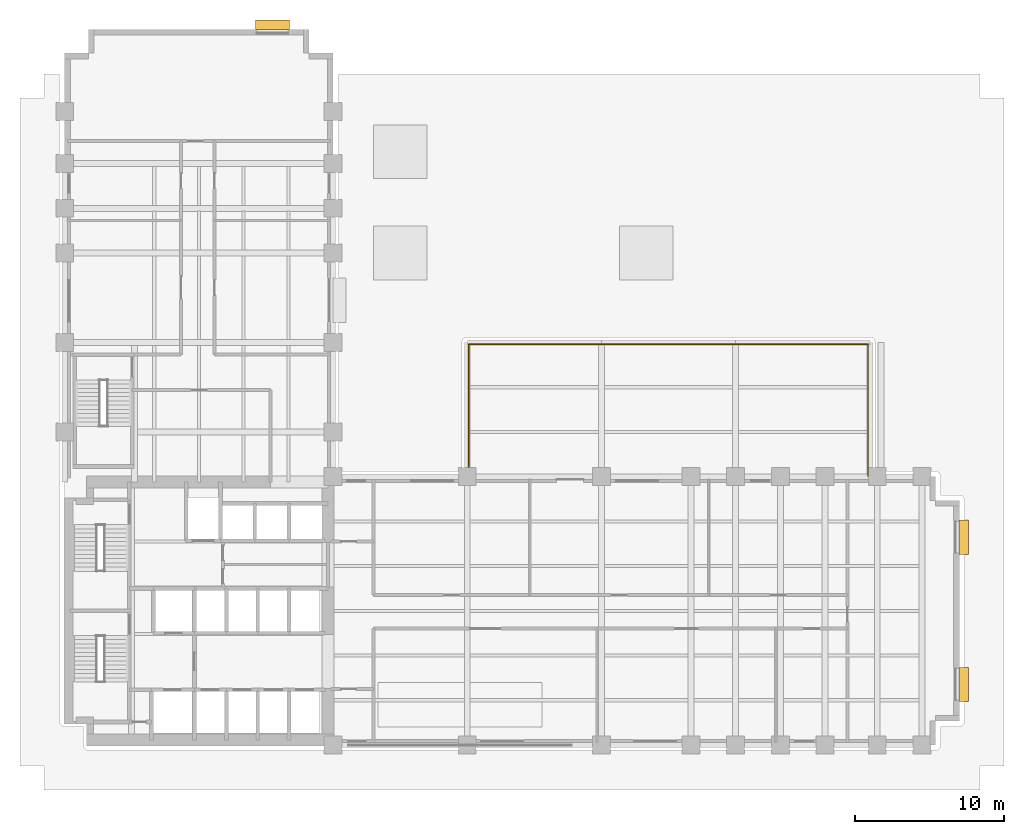
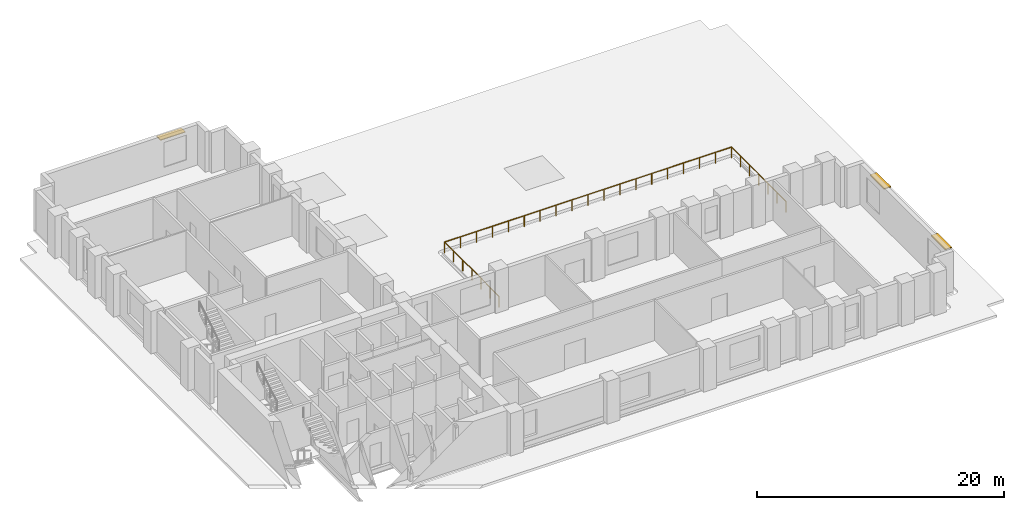
# One storey, part 9 of 9: 3 shading devices, 1 railing.
"""IFC4 building model written with IfcOpenShell, lengths in metres."""

from ifc_helpers import new_model, si_unit, direction, frame, origin, origin_2d, place, context, subcontext, project, spatial, rectangle, circle, extrude, material, layer, layer_set, type_object, element, save


model = new_model("IFC4")

# Units and contexts
model_context = context("Model", 3, precision=1e-05, world=origin(), true_north=direction((0.0, 1.0)))
body_context = subcontext(model_context, "Body", "Model", "MODEL_VIEW")
ifc_project = project(units=[si_unit("LENGTHUNIT", "METRE"), si_unit("AREAUNIT", "SQUARE_METRE"), si_unit("VOLUMEUNIT", "CUBIC_METRE"), si_unit("PLANEANGLEUNIT", "RADIAN"), si_unit("MASSUNIT", "GRAM", prefix="KILO")], contexts=[model_context])

# Site, building, storey
site_placement = place(None, origin())
site = spatial("IfcSite", under=ifc_project, at=site_placement, CompositionType="ELEMENT")
building_placement = place(site_placement, origin())
building = spatial("IfcBuilding", under=site, at=building_placement, Name="Mawjdan Bourse Tower", CompositionType="ELEMENT")
storey_placement = place(building_placement, frame((0.0, 0.0, 21.60009765625)))
storey = spatial("IfcBuildingStorey", under=building, at=storey_placement, Name="L04", CompositionType="ELEMENT", Elevation=21.60009765625)

# Railing
ifc_material_1 = material(Name="Structural Steel S355", Category="steel")
railing_type = type_object("IfcRailingType", Name="RLG-GRD-1100", PredefinedType="GUARDRAIL", material=ifc_material_1)
railing_placement = place(storey_placement, frame((33.10009765625, 21.050048828125, 0.0)))
element("IfcRailing", 1, at=railing_placement, inside=storey, type_object=railing_type, Name="L04 Sky Terrace Perimeter Guardrail", PredefinedType="GUARDRAIL", context=body_context, shape_type="SweptSolid", body=[
    extrude(circle(Radius=0.02490234375, at=origin_2d()), frame((0.0, 0.0, 1.0751953125), z_axis=(0.0, 1.0, 0.0), x_axis=(-1.0, 0.0, 0.0)), (0.0, 0.0, 1.0), 8.829833984375),
    extrude(circle(Radius=0.02490234375, at=origin_2d()), frame((0.0, 8.829833984375, 1.0751953125), z_axis=(1.0, 0.0, 0.0), x_axis=(0.0, 1.0, 0.0)), (0.0, 0.0, 1.0), 26.77978515625),
    extrude(circle(Radius=0.02490234375, at=origin_2d()), frame((26.77978515625, 8.829833984375, 1.0751953125), z_axis=(0.0, -1.0, 0.0), x_axis=(1.0, 0.0, 0.0)), (0.0, 0.0, 1.0), 8.829833984375),
    extrude(circle(Radius=0.02197265625, at=origin_2d()), origin(), (0.0, 0.0, 1.0), 1.050048828125),
    extrude(circle(Radius=0.02197265625, at=origin_2d()), frame((0.0, 1.4716796875, 0.0)), (0.0, 0.0, 1.0), 1.050048828125),
    extrude(circle(Radius=0.02197265625, at=origin_2d()), frame((0.0, 2.943359375, 0.0)), (0.0, 0.0, 1.0), 1.050048828125),
    extrude(circle(Radius=0.02197265625, at=origin_2d()), frame((0.0, 4.4150390625, 0.0)), (0.0, 0.0, 1.0), 1.050048828125),
    extrude(circle(Radius=0.02197265625, at=origin_2d()), frame((0.0, 5.886474609375, 0.0)), (0.0, 0.0, 1.0), 1.050048828125),
    extrude(circle(Radius=0.02197265625, at=origin_2d()), frame((0.0, 7.358154296875, 0.0)), (0.0, 0.0, 1.0), 1.050048828125),
    extrude(circle(Radius=0.02197265625, at=origin_2d()), frame((0.0, 8.829833984375, 0.0)), (0.0, 0.0, 1.0), 1.050048828125),
    extrude(circle(Radius=0.02197265625, at=origin_2d()), frame((1.48779296875, 8.829833984375, 0.0)), (0.0, 0.0, 1.0), 1.050048828125),
    extrude(circle(Radius=0.02197265625, at=origin_2d()), frame((2.9755859375, 8.829833984375, 0.0)), (0.0, 0.0, 1.0), 1.050048828125),
    extrude(circle(Radius=0.02197265625, at=origin_2d()), frame((4.46337890625, 8.829833984375, 0.0)), (0.0, 0.0, 1.0), 1.050048828125),
    extrude(circle(Radius=0.02197265625, at=origin_2d()), frame((5.951171875, 8.829833984375, 0.0)), (0.0, 0.0, 1.0), 1.050048828125),
    extrude(circle(Radius=0.02197265625, at=origin_2d()), frame((7.438720703125, 8.829833984375, 0.0)), (0.0, 0.0, 1.0), 1.050048828125),
    extrude(circle(Radius=0.02197265625, at=origin_2d()), frame((8.926513671875, 8.829833984375, 0.0)), (0.0, 0.0, 1.0), 1.050048828125),
    extrude(circle(Radius=0.02197265625, at=origin_2d()), frame((10.414306640625, 8.829833984375, 0.0)), (0.0, 0.0, 1.0), 1.050048828125),
    extrude(circle(Radius=0.02197265625, at=origin_2d()), frame((11.902099609375, 8.829833984375, 0.0)), (0.0, 0.0, 1.0), 1.050048828125),
    extrude(circle(Radius=0.02197265625, at=origin_2d()), frame((13.389892578125, 8.829833984375, 0.0)), (0.0, 0.0, 1.0), 1.050048828125),
    extrude(circle(Radius=0.02197265625, at=origin_2d()), frame((14.877685546875, 8.829833984375, 0.0)), (0.0, 0.0, 1.0), 1.050048828125),
    extrude(circle(Radius=0.02197265625, at=origin_2d()), frame((16.365478515625, 8.829833984375, 0.0)), (0.0, 0.0, 1.0), 1.050048828125),
    extrude(circle(Radius=0.02197265625, at=origin_2d()), frame((17.853271484375, 8.829833984375, 0.0)), (0.0, 0.0, 1.0), 1.050048828125),
    extrude(circle(Radius=0.02197265625, at=origin_2d()), frame((19.341064453125, 8.829833984375, 0.0)), (0.0, 0.0, 1.0), 1.050048828125),
    extrude(circle(Radius=0.02197265625, at=origin_2d()), frame((20.82861328125, 8.829833984375, 0.0)), (0.0, 0.0, 1.0), 1.050048828125),
    extrude(circle(Radius=0.02197265625, at=origin_2d()), frame((22.31640625, 8.829833984375, 0.0)), (0.0, 0.0, 1.0), 1.050048828125),
    extrude(circle(Radius=0.02197265625, at=origin_2d()), frame((23.80419921875, 8.829833984375, 0.0)), (0.0, 0.0, 1.0), 1.050048828125),
    extrude(circle(Radius=0.02197265625, at=origin_2d()), frame((25.2919921875, 8.829833984375, 0.0)), (0.0, 0.0, 1.0), 1.050048828125),
    extrude(circle(Radius=0.02197265625, at=origin_2d()), frame((26.77978515625, 8.829833984375, 0.0)), (0.0, 0.0, 1.0), 1.050048828125),
    extrude(circle(Radius=0.02197265625, at=origin_2d()), frame((26.77978515625, 7.358154296875, 0.0)), (0.0, 0.0, 1.0), 1.050048828125),
    extrude(circle(Radius=0.02197265625, at=origin_2d()), frame((26.77978515625, 5.886474609375, 0.0)), (0.0, 0.0, 1.0), 1.050048828125),
    extrude(circle(Radius=0.02197265625, at=origin_2d()), frame((26.77978515625, 4.4150390625, 0.0)), (0.0, 0.0, 1.0), 1.050048828125),
    extrude(circle(Radius=0.02197265625, at=origin_2d()), frame((26.77978515625, 2.943359375, 0.0)), (0.0, 0.0, 1.0), 1.050048828125),
    extrude(circle(Radius=0.02197265625, at=origin_2d()), frame((26.77978515625, 1.4716796875, 0.0)), (0.0, 0.0, 1.0), 1.050048828125),
    extrude(circle(Radius=0.02197265625, at=origin_2d()), frame((26.77978515625, 0.0, 0.0)), (0.0, 0.0, 1.0), 1.050048828125),
])

# Shading devices
ifc_material_2 = material(Name="Bronze Anodised Aluminium", Category="aluminium")
ifc_layer = layer(ifc_material_2, 0.074951171875)
ifc_layer_set = layer_set([ifc_layer], Name="Bronze Anodised Aluminium")
shading_device_type = type_object("IfcShadingDeviceType", Name="SHD-SUN-650", PredefinedType="USERDEFINED", material=ifc_layer_set)
for number, where, z_axis, x_axis, name in (
    (2, (66.304931640625, 7.066650390625, 3.2998046875), (0.0, 0.0, 1.0), (0.0, 1.0, 0.0), "L04 Solar Window Hood 01"),
    (3, (66.304931640625, 16.933349609375, 3.2998046875), (0.0, 0.0, 1.0), (0.0, 1.0, 0.0), "L04 Solar Window Hood 02"),
    (4, (19.933349609375, 51.304931640625, 3.2998046875), (0.0, 0.0, 1.0), (-1.0, 0.0, 0.0), "L04 Solar Window Hood 04"),
):
    element("IfcShadingDevice", number, at=place(storey_placement, frame(where, z_axis=z_axis, x_axis=x_axis)), inside=storey, type_object=shading_device_type, Name=name, ObjectType="SUNSHADE", PredefinedType="USERDEFINED", context=body_context, shape_type="SweptSolid", body=[
        extrude(rectangle(XDim=2.300048828125, YDim=0.64990234375, at=origin_2d()), origin(), (0.0, 0.0, 1.0), 0.074951171875),
    ])

save(model, "model.ifc")
